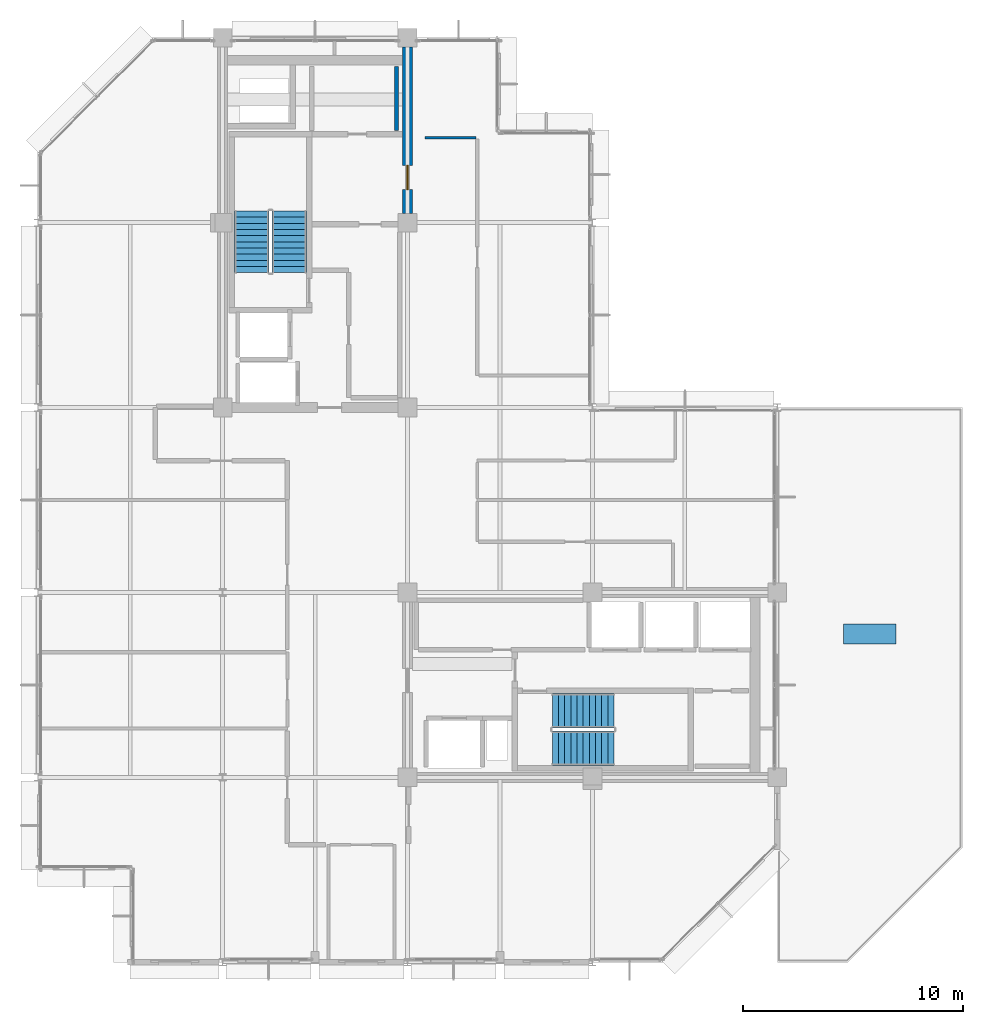
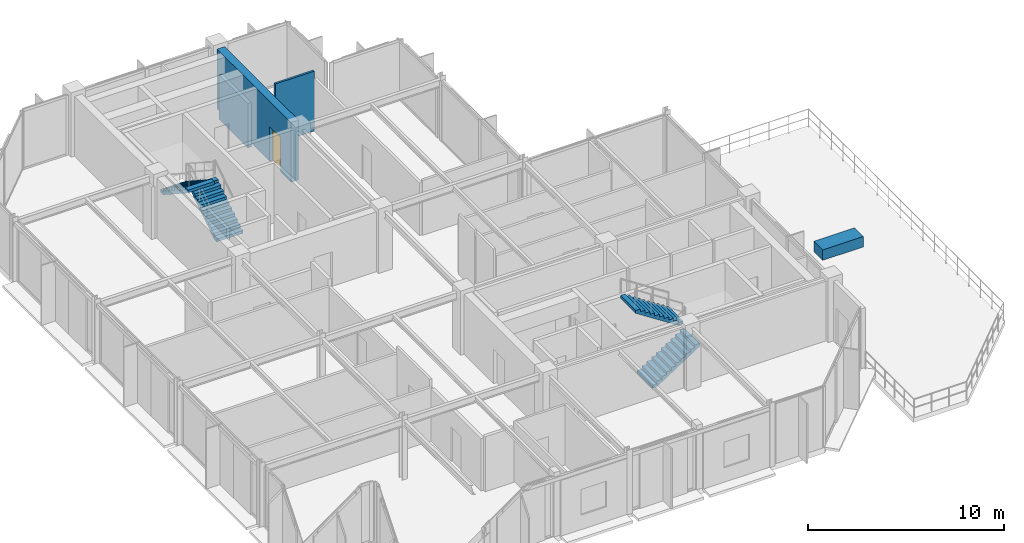
# One storey, part 19 of 23: 4 stair flights, 3 walls, 1 discrete accessory, 1 door, 1 opening, 2 elements without a shape of their own.
"""IFC4 building model written with IfcOpenShell, lengths in metres."""

from ifc_helpers import new_model, si_unit, direction, frame, frame_2d, origin, origin_2d, place, context, subcontext, project, spatial, polyline, rectangle, outline, extrude, material, layer, layer_set, type_object, element, fill, aggregate, save


model = new_model("IFC4")

# Units and contexts
model_context = context("Model", 3, precision=1e-05, world=origin(), true_north=direction((0.0, 1.0)))
body_context = subcontext(model_context, "Body", "Model", "MODEL_VIEW")
ifc_project = project(units=[si_unit("LENGTHUNIT", "METRE"), si_unit("AREAUNIT", "SQUARE_METRE"), si_unit("VOLUMEUNIT", "CUBIC_METRE"), si_unit("PLANEANGLEUNIT", "RADIAN"), si_unit("MASSUNIT", "GRAM", prefix="KILO")], contexts=[model_context])

# Site, building, storey
site_placement = place(None, origin())
site = spatial("IfcSite", under=ifc_project, at=site_placement, CompositionType="ELEMENT")
building_placement = place(site_placement, origin())
building = spatial("IfcBuilding", under=site, at=building_placement, Name="Nerrivon Quay Data Exchange", CompositionType="ELEMENT")
storey_placement = place(building_placement, frame((0.0, 0.0, 286.199951171875)))
storey = spatial("IfcBuildingStorey", under=building, at=storey_placement, Name="L68", CompositionType="ELEMENT", Elevation=286.199951171875)

# Wall, opening, door
ifc_material_1 = material(Name="Concrete N50 (50 MPa)", Category="concrete")
ifc_layer_1 = layer(ifc_material_1, 0.449951171875)
ifc_layer_set_1 = layer_set([ifc_layer_1], Name="Concrete N50 (50 MPa)")
wall_type_1 = type_object("IfcWallType", Name="WALL-CW-550", PredefinedType="SHEAR", material=ifc_layer_set_1)
wall_1_placement = place(storey_placement, frame((16.800048828125, 34.02490234375, 0.0), z_axis=(0.0, 0.0, 1.0), x_axis=(0.0, 1.0, 0.0)))
wall_1 = element("IfcWall", 1, at=wall_1_placement, inside=storey, type_object=wall_type_1, Name="L68 West Split-Core Shear Wall WCW-E1", PredefinedType="SHEAR", context=body_context, shape_type="SweptSolid", body=[
    extrude(rectangle(XDim=7.550048828125, YDim=0.449951171875, at=frame_2d((3.77490234375, 0.0))), origin(), (0.0, 0.0, 1.0), 3.72509765625),
])
opening_placement = place(wall_1_placement, frame((1.074951171875, 0.0, 0.0)))
opening = element("IfcOpeningElement", 2, at=opening_placement, cuts=wall_1, Name="Opening FD-120", PredefinedType="OPENING", context=body_context, shape_type="SweptSolid", body=[
    extrude(rectangle(XDim=1.10009765625, YDim=2.14990234375, at=frame_2d((0.550048828125, 1.074951171875))), frame((0.0, 0.23486328125, 0.0), z_axis=(0.0, -1.0, 0.0), x_axis=(1.0, 0.0, 0.0)), (0.0, 0.0, 1.0), 0.469970703125),
])
ifc_material_2 = material(Name="Powder-coated galvanized steel sheet", Category="steel")
door_type = type_object("IfcDoorType", Name="DR-FD120-1100", OperationType="NOTDEFINED", PredefinedType="DOOR", material=ifc_material_2)
door_placement = place(opening_placement, origin())
door = element("IfcDoor", 3, at=door_placement, inside=storey, type_object=door_type, Name="L68 West Core Lobby Fire Door", OperationType="SINGLE_SWING_RIGHT", OverallHeight=2.14990234375, OverallWidth=1.10009765625, PredefinedType="DOOR", context=body_context, shape_type="SweptSolid", body=[
    extrude(rectangle(XDim=1.10009765625, YDim=2.14990234375, at=frame_2d((0.550048828125, 1.074951171875))), frame((0.0, 0.02490234375, 0.0), z_axis=(0.0, -1.0, 0.0), x_axis=(1.0, 0.0, 0.0)), (0.0, 0.0, 1.0), 0.050048828125),
])
fill(opening, door)

# Walls
ifc_material_3 = material(Name="Gypsum plasterboard on cold-formed framing", Category="gypsum")
ifc_layer_2 = layer(ifc_material_3, 0.199951171875)
ifc_layer_set_2 = layer_set([ifc_layer_2], Name="Gypsum plasterboard on cold-formed framing")
wall_type_2 = type_object("IfcWallType", Name="WALL-FW-200", PredefinedType="PARTITIONING", material=ifc_layer_set_2)
wall_2_placement = place(storey_placement, frame((16.300048828125, 37.780029296875, 0.0), z_axis=(0.0, 0.0, 1.0), x_axis=(0.0, 1.0, 0.0)))
element("IfcWall", 4, at=wall_2_placement, inside=storey, type_object=wall_type_2, Name="L68 Partition Cleaners Store", PredefinedType="PARTITIONING", context=body_context, shape_type="SweptSolid", body=[
    extrude(rectangle(XDim=2.919921875, YDim=0.199951171875, at=frame_2d((1.4599609375, 0.0))), origin(), (0.0, 0.0, 1.0), 2.775146484375),
])
ifc_layer_3 = layer(ifc_material_3, 0.1201171875)
ifc_layer_set_3 = layer_set([ifc_layer_3], Name="Gypsum plasterboard on cold-formed framing")
wall_type_3 = type_object("IfcWallType", Name="WALL-PT-120", PredefinedType="PARTITIONING", material=ifc_layer_set_3)
wall_3_placement = place(storey_placement, frame((17.60009765625, 37.4599609375, 0.0), z_axis=(0.0, 0.0, 1.0), x_axis=(1.0, 0.0, 0.0)))
element("IfcWall", 5, at=wall_3_placement, inside=storey, type_object=wall_type_3, Name="L68 Partition Technical Library", PredefinedType="PARTITIONING", context=body_context, shape_type="SweptSolid", body=[
    extrude(rectangle(XDim=2.2998046875, YDim=0.1201171875, at=frame_2d((1.14990234375, 0.0))), origin(), (0.0, 0.0, 1.0), 3.72509765625),
])

# Stair, stair flights
stair_type = type_object("IfcStairType", Name="STAIR-DOG-40", PredefinedType="HALF_TURN_STAIR", material=ifc_material_1)
stair_1_placement = place(storey_placement, origin())
stair_1 = element("IfcStair", 6, at=stair_1_placement, inside=storey, type_object=stair_type, Name="L68 West Core Fire Stair ST01", PredefinedType="HALF_TURN_STAIR")
stair_flight_type = type_object("IfcStairFlightType", Name="FLIGHT-DOG-40", PredefinedType="STRAIGHT", material=ifc_material_1)
stair_flight_1_placement = place(storey_placement, frame((11.425048828125, 31.330078125, 0.0), z_axis=(0.0, 0.0, 1.0), x_axis=(0.0, 1.0, 0.0)))
stair_flight_1 = element("IfcStairFlight", 7, at=stair_flight_1_placement, type_object=stair_flight_type, Name="ST01 flight 1", NumberOfRisers=11, NumberOfTreads=10, PredefinedType="STRAIGHT", RiserHeight=0.181818182, TreadLength=0.28, context=body_context, shape_type="SweptSolid", body=[
    extrude(outline(polyline([(0.0, 0.0), (0.0, 0.181884765625), (0.280029296875, 0.181884765625), (0.280029296875, 0.363525390625), (0.56005859375, 0.363525390625), (0.56005859375, 0.54541015625), (0.840087890625, 0.54541015625), (0.840087890625, 0.727294921875), (1.1201171875, 0.727294921875), (1.1201171875, 0.9091796875), (1.39990234375, 0.9091796875), (1.39990234375, 1.0908203125), (1.679931640625, 1.0908203125), (1.679931640625, 1.272705078125), (1.9599609375, 1.272705078125), (1.9599609375, 1.45458984375), (2.239990234375, 1.45458984375), (2.239990234375, 1.636474609375), (2.52001953125, 1.636474609375), (2.52001953125, 1.818115234375), (2.800048828125, 1.818115234375), (2.800048828125, 2.0), (2.800048828125, 1.639404296875), (0.275146484375, 0.0), (0.0, 0.0)])), frame((0.0, 0.77490234375, 0.0), z_axis=(0.0, -1.0, 0.0), x_axis=(1.0, 0.0, 0.0)), (0.0, 0.0, 1.0), 1.550048828125),
])
stair_flight_2_placement = place(storey_placement, frame((9.72509765625, 34.1298828125, 2.0), z_axis=(0.0, 0.0, 1.0), x_axis=(0.0, -1.0, 0.0)))
stair_flight_2 = element("IfcStairFlight", 8, at=stair_flight_2_placement, type_object=stair_flight_type, Name="ST01 flight 2", NumberOfRisers=11, NumberOfTreads=10, PredefinedType="STRAIGHT", RiserHeight=0.181818182, TreadLength=0.28, context=body_context, shape_type="SweptSolid", body=[
    extrude(outline(polyline([(0.0, 0.0), (0.0, 0.181884765625), (0.280029296875, 0.181884765625), (0.280029296875, 0.363525390625), (0.56005859375, 0.363525390625), (0.56005859375, 0.54541015625), (0.840087890625, 0.54541015625), (0.840087890625, 0.727294921875), (1.1201171875, 0.727294921875), (1.1201171875, 0.9091796875), (1.39990234375, 0.9091796875), (1.39990234375, 1.0908203125), (1.679931640625, 1.0908203125), (1.679931640625, 1.272705078125), (1.9599609375, 1.272705078125), (1.9599609375, 1.45458984375), (2.239990234375, 1.45458984375), (2.239990234375, 1.636474609375), (2.52001953125, 1.636474609375), (2.52001953125, 1.818115234375), (2.800048828125, 1.818115234375), (2.800048828125, 2.0), (2.800048828125, 1.639404296875), (0.275146484375, 0.0), (0.0, 0.0)])), frame((0.0, 0.77490234375, 0.0), z_axis=(0.0, -1.0, 0.0), x_axis=(1.0, 0.0, 0.0)), (0.0, 0.0, 1.0), 1.550048828125),
])
aggregate(stair_1, [stair_flight_1, stair_flight_2])

stair_2_placement = place(storey_placement, origin())
stair_2 = element("IfcStair", 9, at=stair_2_placement, inside=storey, type_object=stair_type, Name="L68 East Core Fire Stair ST02", PredefinedType="HALF_TURN_STAIR")
stair_flight_3_placement = place(storey_placement, frame((23.3798828125, 9.72509765625, 0.0), z_axis=(0.0, 0.0, 1.0), x_axis=(1.0, 0.0, 0.0)))
stair_flight_3 = element("IfcStairFlight", 10, at=stair_flight_3_placement, type_object=stair_flight_type, Name="ST02 flight 1", NumberOfRisers=11, NumberOfTreads=10, PredefinedType="STRAIGHT", RiserHeight=0.181818182, TreadLength=0.28, context=body_context, shape_type="SweptSolid", body=[
    extrude(outline(polyline([(0.0, 0.0), (0.0, 0.181884765625), (0.280029296875, 0.181884765625), (0.280029296875, 0.363525390625), (0.56005859375, 0.363525390625), (0.56005859375, 0.54541015625), (0.840087890625, 0.54541015625), (0.840087890625, 0.727294921875), (1.1201171875, 0.727294921875), (1.1201171875, 0.9091796875), (1.39990234375, 0.9091796875), (1.39990234375, 1.0908203125), (1.679931640625, 1.0908203125), (1.679931640625, 1.272705078125), (1.9599609375, 1.272705078125), (1.9599609375, 1.45458984375), (2.239990234375, 1.45458984375), (2.239990234375, 1.636474609375), (2.52001953125, 1.636474609375), (2.52001953125, 1.818115234375), (2.800048828125, 1.818115234375), (2.800048828125, 2.0), (2.800048828125, 1.639404296875), (0.275146484375, 0.0), (0.0, 0.0)])), frame((0.0, 0.77490234375, 0.0), z_axis=(0.0, -1.0, 0.0), x_axis=(1.0, 0.0, 0.0)), (0.0, 0.0, 1.0), 1.550048828125),
])
stair_flight_4_placement = place(storey_placement, frame((26.179931640625, 11.425048828125, 2.0), z_axis=(0.0, 0.0, 1.0), x_axis=(-1.0, 0.0, 0.0)))
stair_flight_4 = element("IfcStairFlight", 11, at=stair_flight_4_placement, type_object=stair_flight_type, Name="ST02 flight 2", NumberOfRisers=11, NumberOfTreads=10, PredefinedType="STRAIGHT", RiserHeight=0.181818182, TreadLength=0.28, context=body_context, shape_type="SweptSolid", body=[
    extrude(outline(polyline([(0.0, 0.0), (0.0, 0.181884765625), (0.280029296875, 0.181884765625), (0.280029296875, 0.363525390625), (0.56005859375, 0.363525390625), (0.56005859375, 0.54541015625), (0.840087890625, 0.54541015625), (0.840087890625, 0.727294921875), (1.1201171875, 0.727294921875), (1.1201171875, 0.9091796875), (1.39990234375, 0.9091796875), (1.39990234375, 1.0908203125), (1.679931640625, 1.0908203125), (1.679931640625, 1.272705078125), (1.9599609375, 1.272705078125), (1.9599609375, 1.45458984375), (2.239990234375, 1.45458984375), (2.239990234375, 1.636474609375), (2.52001953125, 1.636474609375), (2.52001953125, 1.818115234375), (2.800048828125, 1.818115234375), (2.800048828125, 2.0), (2.800048828125, 1.639404296875), (0.275146484375, 0.0), (0.0, 0.0)])), frame((0.0, 0.77490234375, 0.0), z_axis=(0.0, -1.0, 0.0), x_axis=(1.0, 0.0, 0.0)), (0.0, 0.0, 1.0), 1.550048828125),
])
aggregate(stair_2, [stair_flight_3, stair_flight_4])

# Discrete accessory
ifc_material_4 = material(Name="Precast concrete N50 (50 MPa)", Category="concrete")
discrete_accessory_type = type_object("IfcDiscreteAccessoryType", Name="ACC-PLANTER-1", PredefinedType="USERDEFINED", material=ifc_material_4)
discrete_accessory_placement = place(storey_placement, frame((37.800048828125, 14.906982421875, 0.0), z_axis=(0.0, 0.0, 1.0), x_axis=(1.0, 0.0, 0.0)))
element("IfcDiscreteAccessory", 12, at=discrete_accessory_placement, inside=storey, type_object=discrete_accessory_type, Name="L68 Subtropical Sky-Garden Planter 1", ObjectType="PLANTER", PredefinedType="USERDEFINED", context=body_context, shape_type="SweptSolid", body=[
    extrude(rectangle(XDim=2.39990234375, YDim=0.89990234375, at=origin_2d()), origin(), (0.0, 0.0, 1.0), 0.64990234375),
])

save(model, "model.ifc")
